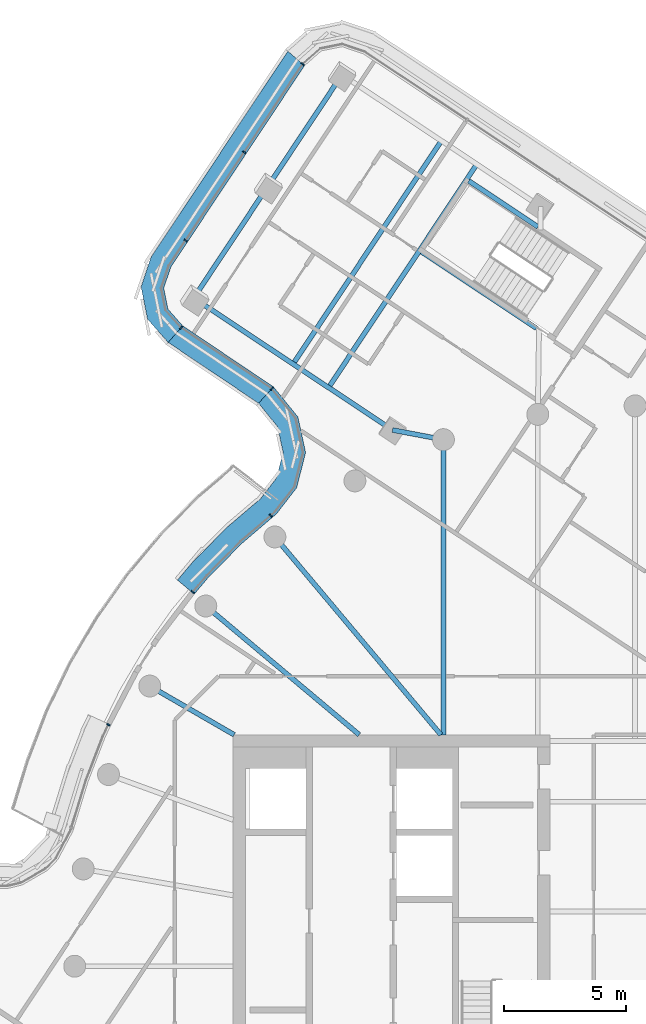
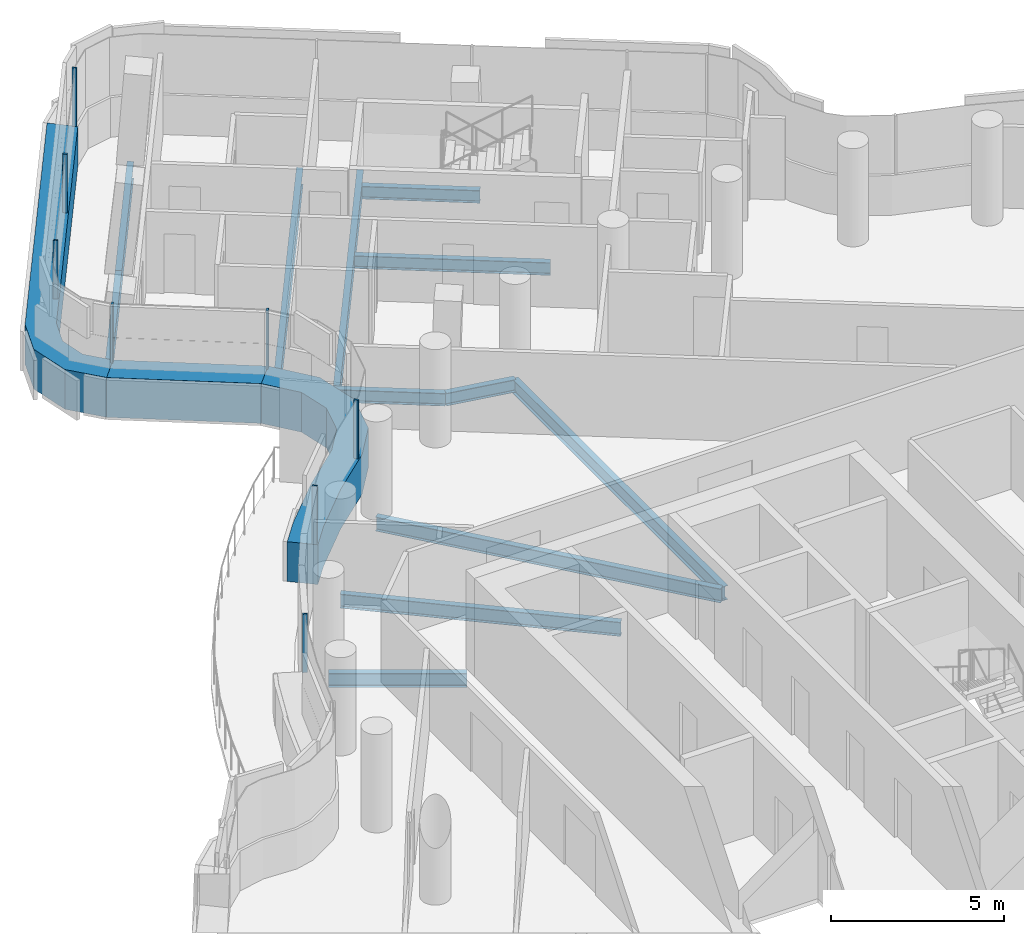
# One storey, part 9 of 27: 12 beams, 11 members, 3 elements without a shape of their own.
"""IFC4 building model written with IfcOpenShell, lengths in metres."""

from ifc_helpers import new_model, si_unit, direction, frame, origin, origin_2d, place, context, subcontext, project, spatial, polyline, rectangle, i_section, outline, extrude, material, layer, layer_set, material_profile, profile_set, type_object, element, aggregate, save


model = new_model("IFC4")

# Units and contexts
model_context = context("Model", 3, precision=1e-05, world=origin(), true_north=direction((0.0, 1.0)))
body_context = subcontext(model_context, "Body", "Model", "MODEL_VIEW")
ifc_project = project(units=[si_unit("LENGTHUNIT", "METRE"), si_unit("AREAUNIT", "SQUARE_METRE"), si_unit("VOLUMEUNIT", "CUBIC_METRE"), si_unit("PLANEANGLEUNIT", "RADIAN"), si_unit("MASSUNIT", "GRAM", prefix="KILO")], contexts=[model_context])

# Site, building, storey
site_placement = place(None, origin())
site = spatial("IfcSite", under=ifc_project, at=site_placement, CompositionType="ELEMENT")
building_placement = place(site_placement, origin())
building = spatial("IfcBuilding", under=site, at=building_placement, Name="Tamarind Cross Interchange Tower", CompositionType="ELEMENT")
storey_placement = place(building_placement, frame((0.0, 0.0, 237.89990234375)))
storey = spatial("IfcBuildingStorey", under=building, at=storey_placement, Name="L60", CompositionType="ELEMENT", Elevation=237.89990234375)

# Beams
ifc_material_1 = material(Name="Steel Q355B", Category="steel")
ifc_material_profile_1 = material_profile(ifc_material_1, i_section(OverallWidth=0.198974609375, OverallDepth=0.446044921875, WebThickness=0.008056640625, FlangeThickness=0.011962890625, FilletRadius=0.012939453125, at=origin_2d()), Name="HN 446x199x8x12")
ifc_profile_set_1 = profile_set([ifc_material_profile_1], Name="Steel Q355B")
beam_type_1 = type_object("IfcBeamType", Name="Composite beam HN 446x199x8x12 Q355B", PredefinedType="BEAM", material=ifc_profile_set_1)
beam_1_placement = place(storey_placement, frame((-18.115234375, 27.42529296875, -0.36279296875), z_axis=(0.833107372719, -0.553111295782, 0.0), x_axis=(0.553111295782, 0.833107372719, 0.0)))
element("IfcBeam", 1, at=beam_1_placement, inside=storey, type_object=beam_type_1, Name="Beam N-edgeep2", PredefinedType="BEAM", context=body_context, shape_type="SweptSolid", body=[
    extrude(i_section(OverallWidth=0.198974609375, OverallDepth=0.446044921875, WebThickness=0.008056640625, FlangeThickness=0.011962890625, FilletRadius=0.012939453125, at=origin_2d()), origin(), (0.0, 0.0, 1.0), 9.792724609375),
])
beam_2_placement = place(storey_placement, frame((-9.956787109375, 22.0087890625, -0.36279296875), z_axis=(0.982545877788, -0.18602042372, 0.0), x_axis=(0.18602042372, 0.982545877788, 0.0)))
element("IfcBeam", 2, at=beam_2_placement, inside=storey, type_object=beam_type_1, Name="Beam N-linkep", PredefinedType="BEAM", context=body_context, shape_type="SweptSolid", body=[
    extrude(i_section(OverallWidth=0.198974609375, OverallDepth=0.446044921875, WebThickness=0.008056640625, FlangeThickness=0.011962890625, FilletRadius=0.012939453125, at=origin_2d()), origin(), (0.0, 0.0, 1.0), 2.12744140625),
])
beam_3_placement = place(storey_placement, frame((-3.98388671875, 30.346435546875, -0.36279296875), z_axis=(-0.833093698013, 0.553131892347, 0.0), x_axis=(-0.553131892347, -0.833093698013, 0.0)))
element("IfcBeam", 3, at=beam_3_placement, inside=storey, type_object=beam_type_1, Name="Beam N-tr0s1", PredefinedType="BEAM", context=body_context, shape_type="SweptSolid", body=[
    extrude(i_section(OverallWidth=0.198974609375, OverallDepth=0.446044921875, WebThickness=0.008056640625, FlangeThickness=0.011962890625, FilletRadius=0.012939453125, at=origin_2d()), origin(), (0.0, 0.0, 1.0), 3.4150390625),
])
beam_4_placement = place(storey_placement, frame((-4.043212890625, 26.184814453125, -0.36279296875), z_axis=(-0.833109130975, 0.553108647452, 0.0), x_axis=(-0.553108647452, -0.833109130975, 0.0)))
element("IfcBeam", 4, at=beam_4_placement, inside=storey, type_object=beam_type_1, Name="Beam N-tr1s1", PredefinedType="BEAM", context=body_context, shape_type="SweptSolid", body=[
    extrude(i_section(OverallWidth=0.198974609375, OverallDepth=0.446044921875, WebThickness=0.008056640625, FlangeThickness=0.011962890625, FilletRadius=0.012939453125, at=origin_2d()), origin(), (0.0, 0.0, 1.0), 5.66748046875),
])
ifc_material_profile_2 = material_profile(ifc_material_1, i_section(OverallWidth=0.198974609375, OverallDepth=0.49609375, WebThickness=0.009033203125, FlangeThickness=0.013916015625, FilletRadius=0.012939453125, at=origin_2d()), Name="HN 496x199x9x14")
ifc_profile_set_2 = profile_set([ifc_material_profile_2], Name="Steel Q355B")
beam_type_2 = type_object("IfcBeamType", Name="Composite beam HN 496x199x9x14 Q355B", PredefinedType="BEAM", material=ifc_profile_set_2)
beam_5_placement = place(storey_placement, frame((-7.866455078125, 21.613037109375, -0.387939453125), z_axis=(0.0, -1.0, 0.0), x_axis=(1.0, 0.0, 0.0)))
element("IfcBeam", 5, at=beam_5_placement, inside=storey, type_object=beam_type_2, Name="Beam HH11", PredefinedType="BEAM", context=body_context, shape_type="SweptSolid", body=[
    extrude(i_section(OverallWidth=0.198974609375, OverallDepth=0.49609375, WebThickness=0.009033203125, FlangeThickness=0.013916015625, FilletRadius=0.012939453125, at=origin_2d()), origin(), (0.0, 0.0, 1.0), 12.113037109375),
])
beam_6_placement = place(storey_placement, frame((-14.7841796875, 17.619140625, -0.387939453125), z_axis=(0.642786293979, -0.766045547127, 0.0), x_axis=(0.766045547127, 0.642786293979, 0.0)))
element("IfcBeam", 6, at=beam_6_placement, inside=storey, type_object=beam_type_2, Name="Beam HH13", PredefinedType="BEAM", context=body_context, shape_type="SweptSolid", body=[
    extrude(i_section(OverallWidth=0.198974609375, OverallDepth=0.49609375, WebThickness=0.009033203125, FlangeThickness=0.013916015625, FilletRadius=0.012939453125, at=origin_2d()), origin(), (0.0, 0.0, 1.0), 10.598876953125),
])
beam_7_placement = place(storey_placement, frame((-17.619140625, 14.7841796875, -0.387939453125), z_axis=(0.766040580814, -0.642792212574, 0.0), x_axis=(0.642792212574, 0.766040580814, 0.0)))
element("IfcBeam", 7, at=beam_7_placement, inside=storey, type_object=beam_type_2, Name="Beam HH14", PredefinedType="BEAM", context=body_context, shape_type="SweptSolid", body=[
    extrude(i_section(OverallWidth=0.198974609375, OverallDepth=0.49609375, WebThickness=0.009033203125, FlangeThickness=0.013916015625, FilletRadius=0.012939453125, at=origin_2d()), origin(), (0.0, 0.0, 1.0), 8.220703125),
])
beam_8_placement = place(storey_placement, frame((-19.918701171875, 11.5, -0.387939453125), z_axis=(0.866026010844, -0.49999894854, 0.0), x_axis=(0.49999894854, 0.866026010844, 0.0)))
element("IfcBeam", 8, at=beam_8_placement, inside=storey, type_object=beam_type_2, Name="Beam HH15", PredefinedType="BEAM", context=body_context, shape_type="SweptSolid", body=[
    extrude(i_section(OverallWidth=0.198974609375, OverallDepth=0.49609375, WebThickness=0.009033203125, FlangeThickness=0.013916015625, FilletRadius=0.012939453125, at=origin_2d()), origin(), (0.0, 0.0, 1.0), 4.0),
])
ifc_material_profile_3 = material_profile(ifc_material_1, i_section(OverallWidth=0.198974609375, OverallDepth=0.595947265625, WebThickness=0.010009765625, FlangeThickness=0.014892578125, FilletRadius=0.012939453125, at=origin_2d()), Name="HN 596x199x10x15")
ifc_profile_set_3 = profile_set([ifc_material_profile_3], Name="Steel Q355B")
beam_type_3 = type_object("IfcBeamType", Name="Composite beam HN 596x199x10x15 Q355B", PredefinedType="BEAM", material=ifc_profile_set_3)
for number, where, z_axis, x_axis, name in (
    (9, (-12.031005859375, 36.58935546875, -0.43798828125), (-0.553101128157, -0.833114123054, 0.0), (0.833114123054, -0.553101128157, 0.0), "Beam N-tip0"),
    (10, (-15.072998046875, 32.00732421875, -0.43798828125), (-0.553131937292, -0.833093668172, 0.0), (0.833093668172, -0.553131937292, 0.0), "Beam N-tip1"),
):
    element("IfcBeam", number, at=place(storey_placement, frame(where, z_axis=z_axis, x_axis=x_axis)), inside=storey, type_object=beam_type_3, Name=name, PredefinedType="BEAM", context=body_context, shape_type="SweptSolid", body=[
        extrude(i_section(OverallWidth=0.198974609375, OverallDepth=0.595947265625, WebThickness=0.010009765625, FlangeThickness=0.014892578125, FilletRadius=0.012939453125, at=origin_2d()), origin(), (0.0, 0.0, 1.0), 5.5),
    ])
for number, where, z_axis, x_axis, name in (
    (11, (-6.4970703125, 32.915283203125, -0.43798828125), (-0.553106305714, -0.833110685671, 0.0), (0.833110685671, -0.553106305714, 0.0), "Beam N-x334"),
    (12, (-7.951904296875, 33.881103515625, -0.43798828125), (-0.553116533008, -0.83310389563, 0.0), (0.83310389563, -0.553116533008, 0.0), "Beam N-x352"),
):
    element("IfcBeam", number, at=place(storey_placement, frame(where, z_axis=z_axis, x_axis=x_axis)), inside=storey, type_object=beam_type_3, Name=name, PredefinedType="BEAM", context=body_context, shape_type="SweptSolid", body=[
        extrude(i_section(OverallWidth=0.198974609375, OverallDepth=0.595947265625, WebThickness=0.010009765625, FlangeThickness=0.014892578125, FilletRadius=0.012939453125, at=origin_2d()), origin(), (0.0, 0.0, 1.0), 11.0),
    ])

# Curtain wall, member
ifc_material_2 = material(Name="Aluminium 6063-T6", Category="aluminium")
ifc_layer = layer(ifc_material_2, 0.139892578125)
ifc_layer_set = layer_set([ifc_layer], Name="Aluminium 6063-T6")
curtain_wall_type = type_object("IfcCurtainWallType", Name="Hotel curtain wall, 4.5 m bays", PredefinedType="NOTDEFINED", material=ifc_layer_set)
curtain_wall_1_placement = place(storey_placement, origin())
curtain_wall_1 = element("IfcCurtainWall", 13, at=curtain_wall_1_placement, inside=storey, type_object=curtain_wall_type, Name="CWS-L60-04", PredefinedType="NOTDEFINED")
ifc_material_3 = material(Name="Aluminium and insulated spandrel panel", Category="aluminium")
member_type_1 = type_object("IfcMemberType", Name="Floor-edge blade transom", PredefinedType="USERDEFINED", material=ifc_material_3)
member_1_placement = place(storey_placement, origin())
member_1 = element("IfcMember", 14, at=member_1_placement, type_object=member_type_1, Name="CWT-L60-04", ObjectType="TRANSOM", PredefinedType="USERDEFINED", context=body_context, shape_type="SweptSolid", body=[
    extrude(outline(polyline([(-13.566650390625, 36.961181640625), (-19.053955078125, 28.696044921875), (-19.345703125, 27.828369140625), (-19.172607421875, 26.97119140625), (-18.56640625, 26.283935546875), (-19.16455078125, 25.601806640625), (-20.007080078125, 26.556640625), (-20.275634765625, 27.886474609375), (-19.869384765625, 29.09521484375), (-14.250732421875, 37.557861328125), (-13.566650390625, 36.961181640625)])), origin(), (0.0, 0.0, 1.0), 1.400146484375),
])

curtain_wall_2_placement = place(storey_placement, origin())
curtain_wall_2 = element("IfcCurtainWall", 15, at=curtain_wall_2_placement, inside=storey, type_object=curtain_wall_type, Name="CWS-L60-05", PredefinedType="NOTDEFINED")
member_2_placement = place(storey_placement, origin())
member_2 = element("IfcMember", 16, at=member_2_placement, type_object=member_type_1, Name="CWT-L60-05", ObjectType="TRANSOM", PredefinedType="USERDEFINED", context=body_context, shape_type="SweptSolid", body=[
    extrude(outline(polyline([(-18.56640625, 26.283935546875), (-14.84130859375, 23.77880859375), (-15.454833984375, 23.10693359375), (-19.16455078125, 25.601806640625), (-18.56640625, 26.283935546875)])), origin(), (0.0, 0.0, 1.0), 1.400146484375),
])

curtain_wall_3_placement = place(storey_placement, origin())
curtain_wall_3 = element("IfcCurtainWall", 17, at=curtain_wall_3_placement, inside=storey, type_object=curtain_wall_type, Name="CWS-L60-06", PredefinedType="NOTDEFINED")
member_3_placement = place(storey_placement, origin())
member_3 = element("IfcMember", 18, at=member_3_placement, type_object=member_type_1, Name="CWT-L60-06-0", ObjectType="TRANSOM", PredefinedType="USERDEFINED", context=body_context, shape_type="SweptSolid", body=[
    extrude(outline(polyline([(-14.84130859375, 23.77880859375), (-13.838623046875, 22.54541015625), (-13.521484375, 21.080322265625), (-13.889892578125, 19.636962890625), (-14.715576171875, 18.568115234375), (-16.12353515625, 17.3642578125), (-17.50244140625, 15.973388671875), (-18.0947265625, 15.26806640625), (-18.782470703125, 15.848388671875), (-18.167724609375, 16.580810546875), (-16.736572265625, 18.024169921875), (-15.37109375, 19.19189453125), (-14.7158203125, 20.0400390625), (-14.446044921875, 21.09716796875), (-14.6728515625, 22.144775390625), (-15.454833984375, 23.10693359375), (-14.84130859375, 23.77880859375)])), origin(), (0.0, 0.0, 1.0), 1.400146484375),
])

# Member
ifc_material_profile_4 = material_profile(ifc_material_2, rectangle(XDim=0.06005859375, YDim=0.139892578125, at=origin_2d()), Name="Mullion CW2")
ifc_profile_set_4 = profile_set([ifc_material_profile_4], Name="Aluminium 6063-T6")
member_type_2 = type_object("IfcMemberType", Name="Mullion CW2", PredefinedType="MULLION", material=ifc_profile_set_4)
member_4_placement = place(storey_placement, frame((-13.642578125, 37.027587890625, 1.400146484375), z_axis=(0.0, 0.0, 1.0), x_axis=(-0.657122687373, -0.753783638546, 0.0)))
member_4 = element("IfcMember", 19, at=member_4_placement, type_object=member_type_2, Name="CWM-L60-04-00", PredefinedType="MULLION", context=body_context, shape_type="SweptSolid", body=[
    extrude(rectangle(XDim=0.06005859375, YDim=0.139892578125, at=origin_2d()), origin(), (0.0, 0.0, 1.0), 2.06005859375),
])

member_5_placement = place(storey_placement, frame((-16.046142578125, 33.4072265625, 1.400146484375), z_axis=(0.0, 0.0, 1.0), x_axis=(-0.55311240359, -0.833106637229, 0.0)))
member_5 = element("IfcMember", 20, at=member_5_placement, type_object=member_type_2, Name="CWM-L60-04-01", PredefinedType="MULLION", context=body_context, shape_type="SweptSolid", body=[
    extrude(rectangle(XDim=0.06005859375, YDim=0.139892578125, at=origin_2d()), origin(), (0.0, 0.0, 1.0), 2.06005859375),
])

member_6_placement = place(storey_placement, frame((-18.44970703125, 29.786865234375, 1.400146484375), z_axis=(0.0, 0.0, 1.0), x_axis=(-0.55311240359, -0.833106637229, 0.0)))
member_6 = element("IfcMember", 21, at=member_6_placement, type_object=member_type_2, Name="CWM-L60-04-02", PredefinedType="MULLION", context=body_context, shape_type="SweptSolid", body=[
    extrude(rectangle(XDim=0.06005859375, YDim=0.139892578125, at=origin_2d()), origin(), (0.0, 0.0, 1.0), 2.06005859375),
])

aggregate(curtain_wall_1, [member_4, member_5, member_6, member_1])

member_7_placement = place(storey_placement, frame((-18.6328125, 26.208251953125, 1.400146484375), z_axis=(0.0, 0.0, 1.0), x_axis=(0.751830082642, -0.659356903986, 0.0)))
member_7 = element("IfcMember", 22, at=member_7_placement, type_object=member_type_2, Name="CWM-L60-05-00", PredefinedType="MULLION", context=body_context, shape_type="SweptSolid", body=[
    extrude(rectangle(XDim=0.06005859375, YDim=0.139892578125, at=origin_2d()), origin(), (0.0, 0.0, 1.0), 2.06005859375),
])

aggregate(curtain_wall_2, [member_7, member_2])

member_8_placement = place(storey_placement, frame((-14.909423828125, 23.704345703125, 1.400146484375), z_axis=(0.0, 0.0, 1.0), x_axis=(0.738352114413, -0.674415417337, 0.0)))
member_8 = element("IfcMember", 23, at=member_8_placement, type_object=member_type_2, Name="CWM-L60-06-00", PredefinedType="MULLION", context=body_context, shape_type="SweptSolid", body=[
    extrude(rectangle(XDim=0.06005859375, YDim=0.139892578125, at=origin_2d()), origin(), (0.0, 0.0, 1.0), 2.06005859375),
])

member_9_placement = place(storey_placement, frame((-14.953125, 18.49658203125, 1.400146484375), z_axis=(0.0, 0.0, 1.0), x_axis=(-0.760067783087, -0.649843800551, 0.0)))
member_9 = element("IfcMember", 24, at=member_9_placement, type_object=member_type_2, Name="CWM-L60-06-01", PredefinedType="MULLION", context=body_context, shape_type="SweptSolid", body=[
    extrude(rectangle(XDim=0.06005859375, YDim=0.139892578125, at=origin_2d()), origin(), (0.0, 0.0, 1.0), 2.06005859375),
])

member_10_placement = place(storey_placement, frame((-18.152099609375, 15.355224609375, 1.400146484375), z_axis=(0.0, 0.0, 1.0), x_axis=(-0.643009266048, -0.765858396687, 0.0)))
member_10 = element("IfcMember", 25, at=member_10_placement, type_object=member_type_2, Name="CWM-L60-06-02", PredefinedType="MULLION", context=body_context, shape_type="SweptSolid", body=[
    extrude(rectangle(XDim=0.06005859375, YDim=0.139892578125, at=origin_2d()), origin(), (0.0, 0.0, 1.0), 2.06005859375),
])

member_11_placement = place(storey_placement, frame((-21.616455078125, 9.911376953125, 1.400146484375), z_axis=(0.0, 0.0, 1.0), x_axis=(-0.435326231914, -0.900272776334, 0.0)))
member_11 = element("IfcMember", 26, at=member_11_placement, type_object=member_type_2, Name="CWM-L60-06-03", PredefinedType="MULLION", context=body_context, shape_type="SweptSolid", body=[
    extrude(rectangle(XDim=0.06005859375, YDim=0.139892578125, at=origin_2d()), origin(), (0.0, 0.0, 1.0), 2.06005859375),
])

aggregate(curtain_wall_3, [member_8, member_9, member_10, member_11, member_3])

save(model, "model.ifc")
